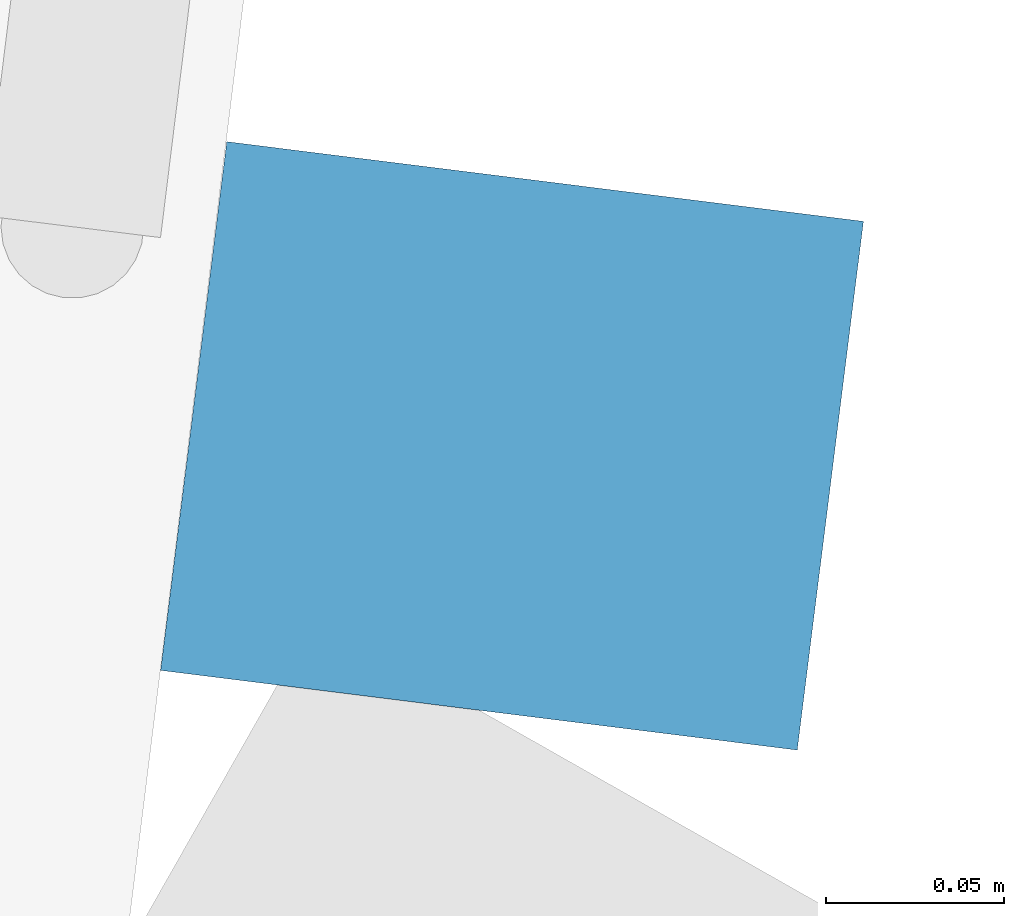
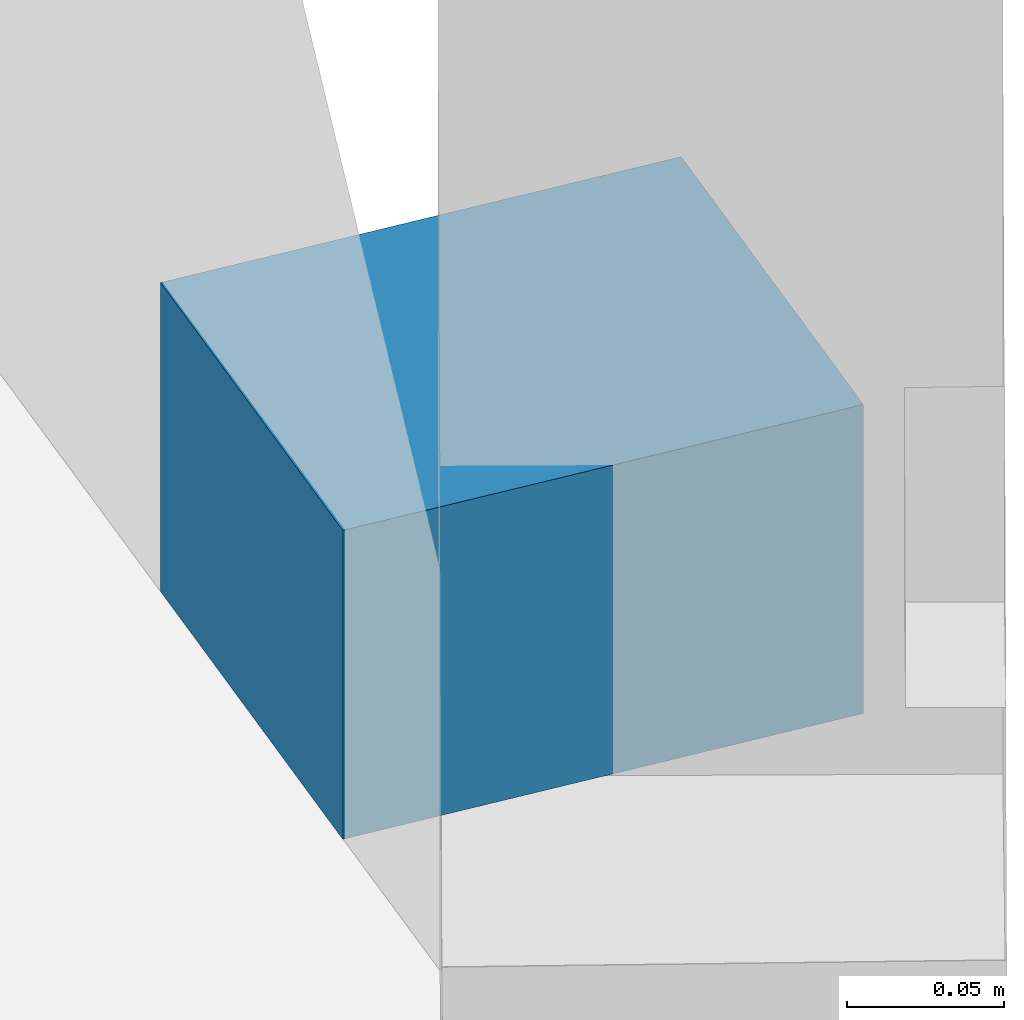
# One storey, part 13 of 24: 1 member, 1 element without a shape of its own.
"""IFC4 building model written with IfcOpenShell, lengths in metres."""

from ifc_helpers import new_model, si_unit, direction, frame, origin, origin_2d, place, context, subcontext, project, spatial, rectangle, extrude, material, material_profile, profile_set, type_object, element, aggregate, save


model = new_model("IFC4")

# Units and contexts
model_context = context("Model", 3, precision=1e-05, world=origin(), true_north=direction((0.0, 1.0)))
body_context = subcontext(model_context, "Body", "Model", "MODEL_VIEW")
ifc_project = project(units=[si_unit("LENGTHUNIT", "METRE"), si_unit("AREAUNIT", "SQUARE_METRE"), si_unit("VOLUMEUNIT", "CUBIC_METRE"), si_unit("PLANEANGLEUNIT", "RADIAN"), si_unit("MASSUNIT", "GRAM", prefix="KILO")], contexts=[model_context])

# Site, building, storey
site_placement = place(None, origin())
site = spatial("IfcSite", under=ifc_project, at=site_placement, CompositionType="ELEMENT")
building_placement = place(site_placement, origin())
building = spatial("IfcBuilding", under=site, at=building_placement, Name="Orlundy Tower", CompositionType="ELEMENT")
storey_placement = place(building_placement, frame((0.0, 0.0, 246.0)))
storey = spatial("IfcBuildingStorey", under=building, at=storey_placement, Name="L65", CompositionType="ELEMENT", Elevation=246.0)

# Curtain wall, member
ifc_material_1 = material(Name="Aluminium bronze anodised", Category="aluminium")
curtain_wall_type = type_object("IfcCurtainWallType", Name="CW1 wall", PredefinedType="NOTDEFINED", material=ifc_material_1)
curtain_wall_placement = place(storey_placement, origin())
curtain_wall = element("IfcCurtainWall", 1, at=curtain_wall_placement, inside=storey, type_object=curtain_wall_type, Name="CW1 run 03", PredefinedType="NOTDEFINED")
ifc_material_2 = material(Name="Aluminium bronze anodised", Category="aluminium")
ifc_material_profile = material_profile(ifc_material_2, rectangle(XDim=0.179931640625, YDim=0.1201171875, at=origin_2d()), Name="CW1 transom 180x120")
ifc_profile_set = profile_set([ifc_material_profile], Name="Aluminium bronze anodised")
member_type = type_object("IfcMemberType", Name="CW1 transom 180x120", PredefinedType="USERDEFINED", material=ifc_profile_set)
member_placement = place(storey_placement, frame((21.78759765625, -31.929931640625, -0.340087890625), z_axis=(-0.124235923819, -0.992252707345, 0.0), x_axis=(0.992252707345, -0.124235923819, 0.0)))
member = element("IfcMember", 2, at=member_placement, type_object=member_type, Name="CW1 transom", ObjectType="TRANSOM", PredefinedType="USERDEFINED", context=body_context, shape_type="SweptSolid", body=[
    extrude(rectangle(XDim=0.179931640625, YDim=0.1201171875, at=origin_2d()), origin(), (0.0, 0.0, 1.0), 0.1494140625),
])
aggregate(curtain_wall, [member])

save(model, "model.ifc")
